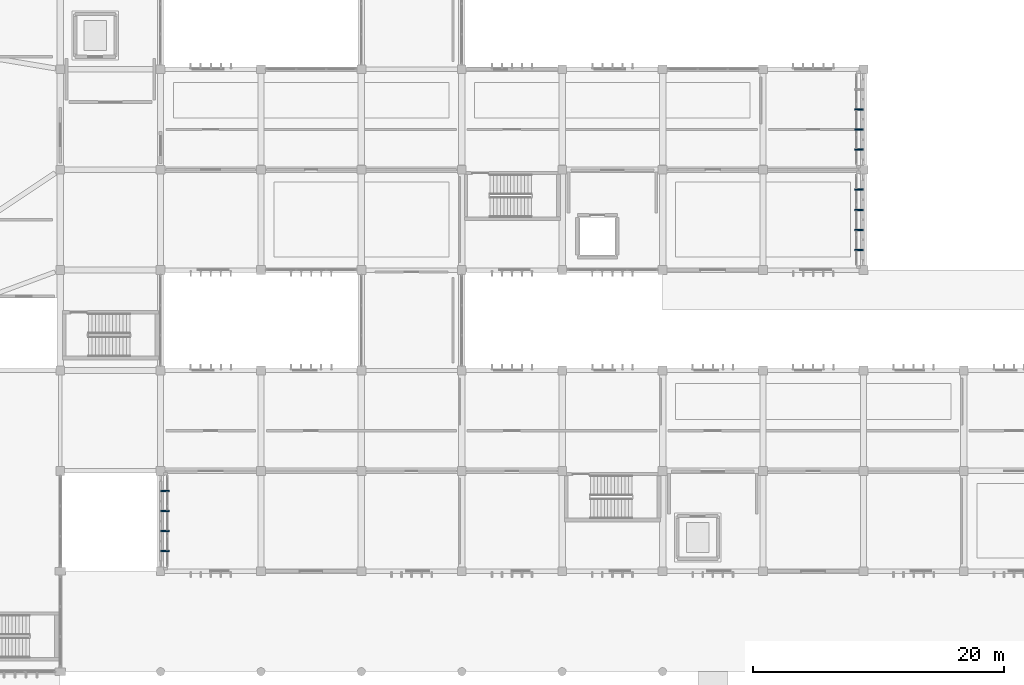
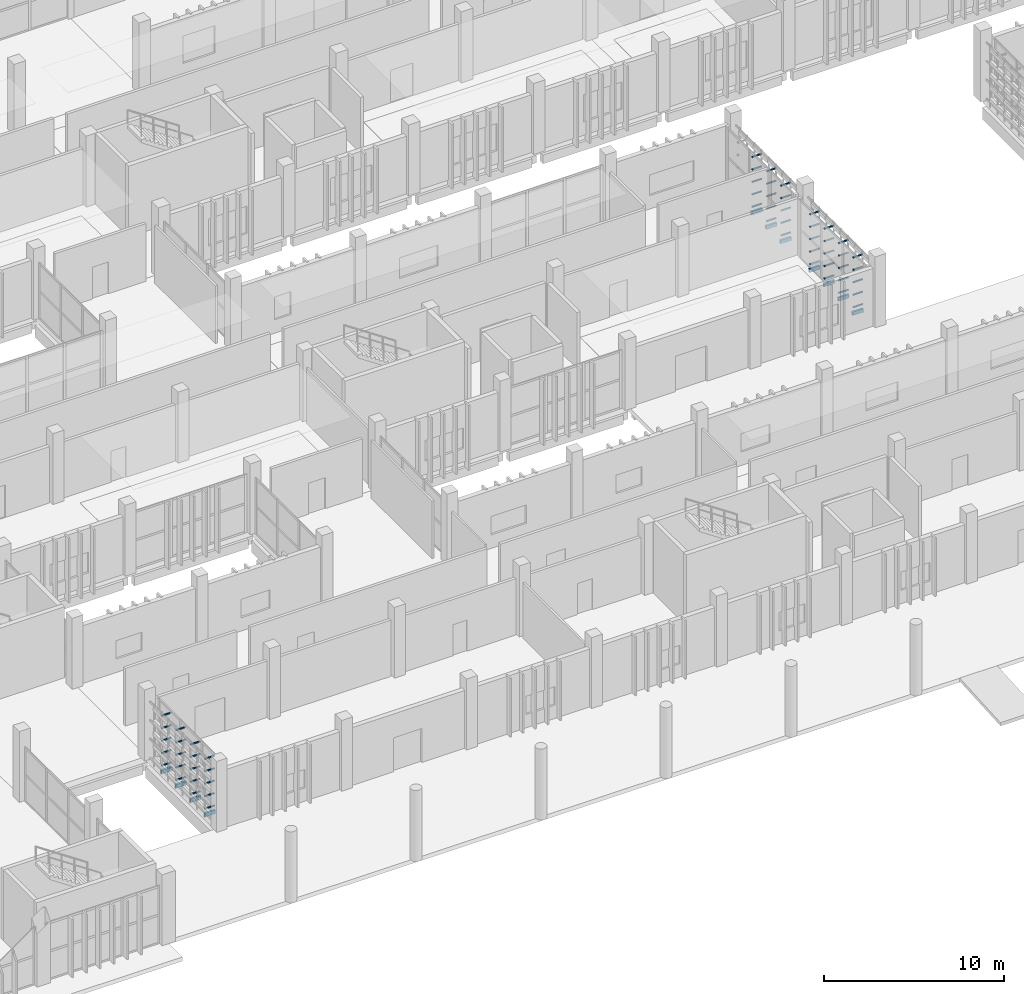
# One storey, part 101 of 117: 66 discrete accessories.
"""IFC4 building model written with IfcOpenShell, lengths in metres."""

from ifc_helpers import new_model, si_unit, direction, frame, origin, origin_2d, place, context, subcontext, project, spatial, rectangle, extrude, material, type_object, element, save


model = new_model("IFC4")

# Units and contexts
model_context = context("Model", 3, precision=1e-05, world=origin(), true_north=direction((0.0, 1.0)))
body_context = subcontext(model_context, "Body", "Model", "MODEL_VIEW")
ifc_project = project(units=[si_unit("LENGTHUNIT", "METRE"), si_unit("AREAUNIT", "SQUARE_METRE"), si_unit("VOLUMEUNIT", "CUBIC_METRE"), si_unit("PLANEANGLEUNIT", "RADIAN"), si_unit("MASSUNIT", "GRAM", prefix="KILO")], contexts=[model_context])

# Site, building, storey
site_placement = place(None, origin())
site = spatial("IfcSite", under=ifc_project, at=site_placement, CompositionType="ELEMENT")
building_placement = place(site_placement, origin())
building = spatial("IfcBuilding", under=site, at=building_placement, Name="Jelvoka-Kovrelna Polytechnic", CompositionType="ELEMENT")
storey_placement = place(building_placement, origin())
storey = spatial("IfcBuildingStorey", under=building, at=storey_placement, Name="L01", CompositionType="ELEMENT", Elevation=0.0)

# Discrete accessories
ifc_material = material(Name="Structural steel S355JR", Category="steel")
discrete_accessory_type = type_object("IfcDiscreteAccessoryType", Name="Bracket_Outrigger_S355", PredefinedType="BRACKET", material=ifc_material)
discrete_accessory_1_placement = place(storey_placement, frame((56.320068359375, 9.60009765625, 0.280029296875), z_axis=(0.0, 0.0, 1.0), x_axis=(1.0, 0.0, 0.0)))
element("IfcDiscreteAccessory", 1, at=discrete_accessory_1_placement, inside=storey, type_object=discrete_accessory_type, Name="L01 screen outrigger tie bracket BRKM-PLT-SCR-0001", PredefinedType="BRACKET", context=body_context, shape_type="SweptSolid", body=[
    extrude(rectangle(XDim=0.639892578125, YDim=0.080078125, at=origin_2d()), origin(), (0.0, 0.0, 1.0), 0.080078125),
])
discrete_accessory_2_placement = place(storey_placement, frame((56.340087890625, 9.60009765625, -0.2001953125), z_axis=(0.0, 0.0, 1.0), x_axis=(1.0, 0.0, 0.0)))
element("IfcDiscreteAccessory", 2, at=discrete_accessory_2_placement, inside=storey, type_object=discrete_accessory_type, Name="L01 screen outrigger tie bracket BRK-PLT-SCR-0001", PredefinedType="BRACKET", context=body_context, shape_type="SweptSolid", body=[
    extrude(rectangle(XDim=0.679931640625, YDim=0.1201171875, at=origin_2d()), origin(), (0.0, 0.0, 1.0), 0.239990234375),
])
for number, where, z_axis, x_axis, name in (
    (3, (56.320068359375, 9.60009765625, 1.12255859375), (0.0, 0.0, 1.0), (1.0, 0.0, 0.0), "L01 screen outrigger tie bracket BRKM-PLT-SCR-0002"),
    (4, (56.320068359375, 9.60009765625, 1.96484375), (0.0, 0.0, 1.0), (1.0, 0.0, 0.0), "L01 screen outrigger tie bracket BRKM-PLT-SCR-0003"),
    (5, (56.320068359375, 9.60009765625, 2.807373046875), (0.0, 0.0, 1.0), (1.0, 0.0, 0.0), "L01 screen outrigger tie bracket BRKM-PLT-SCR-0004"),
    (6, (56.320068359375, 9.60009765625, 3.64990234375), (0.0, 0.0, 1.0), (1.0, 0.0, 0.0), "L01 screen outrigger tie bracket BRKM-PLT-SCR-0005"),
    (7, (56.320068359375, 11.199951171875, 0.280029296875), (0.0, 0.0, 1.0), (1.0, 0.0, 0.0), "L01 screen outrigger tie bracket BRKM-PLT-SCR-0006"),
):
    element("IfcDiscreteAccessory", number, at=place(storey_placement, frame(where, z_axis=z_axis, x_axis=x_axis)), inside=storey, type_object=discrete_accessory_type, Name=name, PredefinedType="BRACKET", context=body_context, shape_type="SweptSolid", body=[
        extrude(rectangle(XDim=0.639892578125, YDim=0.080078125, at=origin_2d()), origin(), (0.0, 0.0, 1.0), 0.080078125),
    ])
discrete_accessory_3_placement = place(storey_placement, frame((56.340087890625, 11.199951171875, -0.2001953125), z_axis=(0.0, 0.0, 1.0), x_axis=(1.0, 0.0, 0.0)))
element("IfcDiscreteAccessory", 8, at=discrete_accessory_3_placement, inside=storey, type_object=discrete_accessory_type, Name="L01 screen outrigger tie bracket BRK-PLT-SCR-0006", PredefinedType="BRACKET", context=body_context, shape_type="SweptSolid", body=[
    extrude(rectangle(XDim=0.679931640625, YDim=0.1201171875, at=origin_2d()), origin(), (0.0, 0.0, 1.0), 0.239990234375),
])
for number, where, z_axis, x_axis, name in (
    (9, (56.320068359375, 11.199951171875, 1.12255859375), (0.0, 0.0, 1.0), (1.0, 0.0, 0.0), "L01 screen outrigger tie bracket BRKM-PLT-SCR-0007"),
    (10, (56.320068359375, 11.199951171875, 1.96484375), (0.0, 0.0, 1.0), (1.0, 0.0, 0.0), "L01 screen outrigger tie bracket BRKM-PLT-SCR-0008"),
    (11, (56.320068359375, 11.199951171875, 2.807373046875), (0.0, 0.0, 1.0), (1.0, 0.0, 0.0), "L01 screen outrigger tie bracket BRKM-PLT-SCR-0009"),
    (12, (56.320068359375, 11.199951171875, 3.64990234375), (0.0, 0.0, 1.0), (1.0, 0.0, 0.0), "L01 screen outrigger tie bracket BRKM-PLT-SCR-0010"),
    (13, (56.320068359375, 12.800048828125, 0.280029296875), (0.0, 0.0, 1.0), (1.0, 0.0, 0.0), "L01 screen outrigger tie bracket BRKM-PLT-SCR-0011"),
):
    element("IfcDiscreteAccessory", number, at=place(storey_placement, frame(where, z_axis=z_axis, x_axis=x_axis)), inside=storey, type_object=discrete_accessory_type, Name=name, PredefinedType="BRACKET", context=body_context, shape_type="SweptSolid", body=[
        extrude(rectangle(XDim=0.639892578125, YDim=0.080078125, at=origin_2d()), origin(), (0.0, 0.0, 1.0), 0.080078125),
    ])
discrete_accessory_4_placement = place(storey_placement, frame((56.340087890625, 12.800048828125, -0.2001953125), z_axis=(0.0, 0.0, 1.0), x_axis=(1.0, 0.0, 0.0)))
element("IfcDiscreteAccessory", 14, at=discrete_accessory_4_placement, inside=storey, type_object=discrete_accessory_type, Name="L01 screen outrigger tie bracket BRK-PLT-SCR-0011", PredefinedType="BRACKET", context=body_context, shape_type="SweptSolid", body=[
    extrude(rectangle(XDim=0.679931640625, YDim=0.1201171875, at=origin_2d()), origin(), (0.0, 0.0, 1.0), 0.239990234375),
])
for number, where, z_axis, x_axis, name in (
    (15, (56.320068359375, 12.800048828125, 1.12255859375), (0.0, 0.0, 1.0), (1.0, 0.0, 0.0), "L01 screen outrigger tie bracket BRKM-PLT-SCR-0012"),
    (16, (56.320068359375, 12.800048828125, 1.96484375), (0.0, 0.0, 1.0), (1.0, 0.0, 0.0), "L01 screen outrigger tie bracket BRKM-PLT-SCR-0013"),
    (17, (56.320068359375, 12.800048828125, 2.807373046875), (0.0, 0.0, 1.0), (1.0, 0.0, 0.0), "L01 screen outrigger tie bracket BRKM-PLT-SCR-0014"),
    (18, (56.320068359375, 12.800048828125, 3.64990234375), (0.0, 0.0, 1.0), (1.0, 0.0, 0.0), "L01 screen outrigger tie bracket BRKM-PLT-SCR-0015"),
    (19, (56.320068359375, 14.39990234375, 0.280029296875), (0.0, 0.0, 1.0), (1.0, 0.0, 0.0), "L01 screen outrigger tie bracket BRKM-PLT-SCR-0016"),
):
    element("IfcDiscreteAccessory", number, at=place(storey_placement, frame(where, z_axis=z_axis, x_axis=x_axis)), inside=storey, type_object=discrete_accessory_type, Name=name, PredefinedType="BRACKET", context=body_context, shape_type="SweptSolid", body=[
        extrude(rectangle(XDim=0.639892578125, YDim=0.080078125, at=origin_2d()), origin(), (0.0, 0.0, 1.0), 0.080078125),
    ])
discrete_accessory_5_placement = place(storey_placement, frame((56.340087890625, 14.39990234375, -0.2001953125), z_axis=(0.0, 0.0, 1.0), x_axis=(1.0, 0.0, 0.0)))
element("IfcDiscreteAccessory", 20, at=discrete_accessory_5_placement, inside=storey, type_object=discrete_accessory_type, Name="L01 screen outrigger tie bracket BRK-PLT-SCR-0016", PredefinedType="BRACKET", context=body_context, shape_type="SweptSolid", body=[
    extrude(rectangle(XDim=0.679931640625, YDim=0.1201171875, at=origin_2d()), origin(), (0.0, 0.0, 1.0), 0.239990234375),
])
for number, where, z_axis, x_axis, name in (
    (21, (56.320068359375, 14.39990234375, 1.12255859375), (0.0, 0.0, 1.0), (1.0, 0.0, 0.0), "L01 screen outrigger tie bracket BRKM-PLT-SCR-0017"),
    (22, (56.320068359375, 14.39990234375, 1.96484375), (0.0, 0.0, 1.0), (1.0, 0.0, 0.0), "L01 screen outrigger tie bracket BRKM-PLT-SCR-0018"),
    (23, (56.320068359375, 14.39990234375, 2.807373046875), (0.0, 0.0, 1.0), (1.0, 0.0, 0.0), "L01 screen outrigger tie bracket BRKM-PLT-SCR-0019"),
    (24, (56.320068359375, 14.39990234375, 3.64990234375), (0.0, 0.0, 1.0), (1.0, 0.0, 0.0), "L01 screen outrigger tie bracket BRKM-PLT-SCR-0020"),
    (25, (111.679931640625, 33.60009765625, 0.280029296875), (0.0, 0.0, 1.0), (1.0, 0.0, 0.0), "L01 screen outrigger tie bracket BRKM-PLT-SCR-0161"),
):
    element("IfcDiscreteAccessory", number, at=place(storey_placement, frame(where, z_axis=z_axis, x_axis=x_axis)), inside=storey, type_object=discrete_accessory_type, Name=name, PredefinedType="BRACKET", context=body_context, shape_type="SweptSolid", body=[
        extrude(rectangle(XDim=0.639892578125, YDim=0.080078125, at=origin_2d()), origin(), (0.0, 0.0, 1.0), 0.080078125),
    ])
discrete_accessory_6_placement = place(storey_placement, frame((111.659912109375, 33.60009765625, -0.2001953125), z_axis=(0.0, 0.0, 1.0), x_axis=(1.0, 0.0, 0.0)))
element("IfcDiscreteAccessory", 26, at=discrete_accessory_6_placement, inside=storey, type_object=discrete_accessory_type, Name="L01 screen outrigger tie bracket BRK-PLT-SCR-0161", PredefinedType="BRACKET", context=body_context, shape_type="SweptSolid", body=[
    extrude(rectangle(XDim=0.679931640625, YDim=0.1201171875, at=origin_2d()), origin(), (0.0, 0.0, 1.0), 0.239990234375),
])
for number, where, z_axis, x_axis, name in (
    (27, (111.679931640625, 33.60009765625, 1.12255859375), (0.0, 0.0, 1.0), (1.0, 0.0, 0.0), "L01 screen outrigger tie bracket BRKM-PLT-SCR-0162"),
    (28, (111.679931640625, 33.60009765625, 1.96484375), (0.0, 0.0, 1.0), (1.0, 0.0, 0.0), "L01 screen outrigger tie bracket BRKM-PLT-SCR-0163"),
    (29, (111.679931640625, 33.60009765625, 2.807373046875), (0.0, 0.0, 1.0), (1.0, 0.0, 0.0), "L01 screen outrigger tie bracket BRKM-PLT-SCR-0164"),
    (30, (111.679931640625, 33.60009765625, 3.64990234375), (0.0, 0.0, 1.0), (1.0, 0.0, 0.0), "L01 screen outrigger tie bracket BRKM-PLT-SCR-0165"),
    (31, (111.679931640625, 35.199951171875, 0.280029296875), (0.0, 0.0, 1.0), (1.0, 0.0, 0.0), "L01 screen outrigger tie bracket BRKM-PLT-SCR-0166"),
):
    element("IfcDiscreteAccessory", number, at=place(storey_placement, frame(where, z_axis=z_axis, x_axis=x_axis)), inside=storey, type_object=discrete_accessory_type, Name=name, PredefinedType="BRACKET", context=body_context, shape_type="SweptSolid", body=[
        extrude(rectangle(XDim=0.639892578125, YDim=0.080078125, at=origin_2d()), origin(), (0.0, 0.0, 1.0), 0.080078125),
    ])
discrete_accessory_7_placement = place(storey_placement, frame((111.659912109375, 35.199951171875, -0.2001953125), z_axis=(0.0, 0.0, 1.0), x_axis=(1.0, 0.0, 0.0)))
element("IfcDiscreteAccessory", 32, at=discrete_accessory_7_placement, inside=storey, type_object=discrete_accessory_type, Name="L01 screen outrigger tie bracket BRK-PLT-SCR-0166", PredefinedType="BRACKET", context=body_context, shape_type="SweptSolid", body=[
    extrude(rectangle(XDim=0.679931640625, YDim=0.1201171875, at=origin_2d()), origin(), (0.0, 0.0, 1.0), 0.239990234375),
])
for number, where, z_axis, x_axis, name in (
    (33, (111.679931640625, 35.199951171875, 1.12255859375), (0.0, 0.0, 1.0), (1.0, 0.0, 0.0), "L01 screen outrigger tie bracket BRKM-PLT-SCR-0167"),
    (34, (111.679931640625, 35.199951171875, 1.96484375), (0.0, 0.0, 1.0), (1.0, 0.0, 0.0), "L01 screen outrigger tie bracket BRKM-PLT-SCR-0168"),
    (35, (111.679931640625, 35.199951171875, 2.807373046875), (0.0, 0.0, 1.0), (1.0, 0.0, 0.0), "L01 screen outrigger tie bracket BRKM-PLT-SCR-0169"),
    (36, (111.679931640625, 35.199951171875, 3.64990234375), (0.0, 0.0, 1.0), (1.0, 0.0, 0.0), "L01 screen outrigger tie bracket BRKM-PLT-SCR-0170"),
    (37, (111.679931640625, 36.800048828125, 0.280029296875), (0.0, 0.0, 1.0), (1.0, 0.0, 0.0), "L01 screen outrigger tie bracket BRKM-PLT-SCR-0171"),
):
    element("IfcDiscreteAccessory", number, at=place(storey_placement, frame(where, z_axis=z_axis, x_axis=x_axis)), inside=storey, type_object=discrete_accessory_type, Name=name, PredefinedType="BRACKET", context=body_context, shape_type="SweptSolid", body=[
        extrude(rectangle(XDim=0.639892578125, YDim=0.080078125, at=origin_2d()), origin(), (0.0, 0.0, 1.0), 0.080078125),
    ])
discrete_accessory_8_placement = place(storey_placement, frame((111.659912109375, 36.800048828125, -0.2001953125), z_axis=(0.0, 0.0, 1.0), x_axis=(1.0, 0.0, 0.0)))
element("IfcDiscreteAccessory", 38, at=discrete_accessory_8_placement, inside=storey, type_object=discrete_accessory_type, Name="L01 screen outrigger tie bracket BRK-PLT-SCR-0171", PredefinedType="BRACKET", context=body_context, shape_type="SweptSolid", body=[
    extrude(rectangle(XDim=0.679931640625, YDim=0.1201171875, at=origin_2d()), origin(), (0.0, 0.0, 1.0), 0.239990234375),
])
for number, where, z_axis, x_axis, name in (
    (39, (111.679931640625, 36.800048828125, 1.12255859375), (0.0, 0.0, 1.0), (1.0, 0.0, 0.0), "L01 screen outrigger tie bracket BRKM-PLT-SCR-0172"),
    (40, (111.679931640625, 36.800048828125, 1.96484375), (0.0, 0.0, 1.0), (1.0, 0.0, 0.0), "L01 screen outrigger tie bracket BRKM-PLT-SCR-0173"),
    (41, (111.679931640625, 36.800048828125, 2.807373046875), (0.0, 0.0, 1.0), (1.0, 0.0, 0.0), "L01 screen outrigger tie bracket BRKM-PLT-SCR-0174"),
    (42, (111.679931640625, 36.800048828125, 3.64990234375), (0.0, 0.0, 1.0), (1.0, 0.0, 0.0), "L01 screen outrigger tie bracket BRKM-PLT-SCR-0175"),
    (43, (111.679931640625, 38.39990234375, 0.280029296875), (0.0, 0.0, 1.0), (1.0, 0.0, 0.0), "L01 screen outrigger tie bracket BRKM-PLT-SCR-0176"),
):
    element("IfcDiscreteAccessory", number, at=place(storey_placement, frame(where, z_axis=z_axis, x_axis=x_axis)), inside=storey, type_object=discrete_accessory_type, Name=name, PredefinedType="BRACKET", context=body_context, shape_type="SweptSolid", body=[
        extrude(rectangle(XDim=0.639892578125, YDim=0.080078125, at=origin_2d()), origin(), (0.0, 0.0, 1.0), 0.080078125),
    ])
discrete_accessory_9_placement = place(storey_placement, frame((111.659912109375, 38.39990234375, -0.2001953125), z_axis=(0.0, 0.0, 1.0), x_axis=(1.0, 0.0, 0.0)))
element("IfcDiscreteAccessory", 44, at=discrete_accessory_9_placement, inside=storey, type_object=discrete_accessory_type, Name="L01 screen outrigger tie bracket BRK-PLT-SCR-0176", PredefinedType="BRACKET", context=body_context, shape_type="SweptSolid", body=[
    extrude(rectangle(XDim=0.679931640625, YDim=0.1201171875, at=origin_2d()), origin(), (0.0, 0.0, 1.0), 0.239990234375),
])
for number, where, z_axis, x_axis, name in (
    (45, (111.679931640625, 38.39990234375, 1.12255859375), (0.0, 0.0, 1.0), (1.0, 0.0, 0.0), "L01 screen outrigger tie bracket BRKM-PLT-SCR-0177"),
    (46, (111.679931640625, 38.39990234375, 1.96484375), (0.0, 0.0, 1.0), (1.0, 0.0, 0.0), "L01 screen outrigger tie bracket BRKM-PLT-SCR-0178"),
    (47, (111.679931640625, 38.39990234375, 2.807373046875), (0.0, 0.0, 1.0), (1.0, 0.0, 0.0), "L01 screen outrigger tie bracket BRKM-PLT-SCR-0179"),
    (48, (111.679931640625, 38.39990234375, 3.64990234375), (0.0, 0.0, 1.0), (1.0, 0.0, 0.0), "L01 screen outrigger tie bracket BRKM-PLT-SCR-0180"),
    (49, (111.679931640625, 41.60009765625, 0.280029296875), (0.0, 0.0, 1.0), (1.0, 0.0, 0.0), "L01 screen outrigger tie bracket BRKM-PLT-SCR-0181"),
):
    element("IfcDiscreteAccessory", number, at=place(storey_placement, frame(where, z_axis=z_axis, x_axis=x_axis)), inside=storey, type_object=discrete_accessory_type, Name=name, PredefinedType="BRACKET", context=body_context, shape_type="SweptSolid", body=[
        extrude(rectangle(XDim=0.639892578125, YDim=0.080078125, at=origin_2d()), origin(), (0.0, 0.0, 1.0), 0.080078125),
    ])
discrete_accessory_10_placement = place(storey_placement, frame((111.659912109375, 41.60009765625, -0.2001953125), z_axis=(0.0, 0.0, 1.0), x_axis=(1.0, 0.0, 0.0)))
element("IfcDiscreteAccessory", 50, at=discrete_accessory_10_placement, inside=storey, type_object=discrete_accessory_type, Name="L01 screen outrigger tie bracket BRK-PLT-SCR-0181", PredefinedType="BRACKET", context=body_context, shape_type="SweptSolid", body=[
    extrude(rectangle(XDim=0.679931640625, YDim=0.1201171875, at=origin_2d()), origin(), (0.0, 0.0, 1.0), 0.239990234375),
])
for number, where, z_axis, x_axis, name in (
    (51, (111.679931640625, 41.60009765625, 1.12255859375), (0.0, 0.0, 1.0), (1.0, 0.0, 0.0), "L01 screen outrigger tie bracket BRKM-PLT-SCR-0182"),
    (52, (111.679931640625, 41.60009765625, 1.96484375), (0.0, 0.0, 1.0), (1.0, 0.0, 0.0), "L01 screen outrigger tie bracket BRKM-PLT-SCR-0183"),
    (53, (111.679931640625, 41.60009765625, 2.807373046875), (0.0, 0.0, 1.0), (1.0, 0.0, 0.0), "L01 screen outrigger tie bracket BRKM-PLT-SCR-0184"),
    (54, (111.679931640625, 41.60009765625, 3.64990234375), (0.0, 0.0, 1.0), (1.0, 0.0, 0.0), "L01 screen outrigger tie bracket BRKM-PLT-SCR-0185"),
    (55, (111.679931640625, 43.199951171875, 0.280029296875), (0.0, 0.0, 1.0), (1.0, 0.0, 0.0), "L01 screen outrigger tie bracket BRKM-PLT-SCR-0186"),
):
    element("IfcDiscreteAccessory", number, at=place(storey_placement, frame(where, z_axis=z_axis, x_axis=x_axis)), inside=storey, type_object=discrete_accessory_type, Name=name, PredefinedType="BRACKET", context=body_context, shape_type="SweptSolid", body=[
        extrude(rectangle(XDim=0.639892578125, YDim=0.080078125, at=origin_2d()), origin(), (0.0, 0.0, 1.0), 0.080078125),
    ])
discrete_accessory_11_placement = place(storey_placement, frame((111.659912109375, 43.199951171875, -0.2001953125), z_axis=(0.0, 0.0, 1.0), x_axis=(1.0, 0.0, 0.0)))
element("IfcDiscreteAccessory", 56, at=discrete_accessory_11_placement, inside=storey, type_object=discrete_accessory_type, Name="L01 screen outrigger tie bracket BRK-PLT-SCR-0186", PredefinedType="BRACKET", context=body_context, shape_type="SweptSolid", body=[
    extrude(rectangle(XDim=0.679931640625, YDim=0.1201171875, at=origin_2d()), origin(), (0.0, 0.0, 1.0), 0.239990234375),
])
for number, where, z_axis, x_axis, name in (
    (57, (111.679931640625, 43.199951171875, 1.12255859375), (0.0, 0.0, 1.0), (1.0, 0.0, 0.0), "L01 screen outrigger tie bracket BRKM-PLT-SCR-0187"),
    (58, (111.679931640625, 43.199951171875, 1.96484375), (0.0, 0.0, 1.0), (1.0, 0.0, 0.0), "L01 screen outrigger tie bracket BRKM-PLT-SCR-0188"),
    (59, (111.679931640625, 43.199951171875, 2.807373046875), (0.0, 0.0, 1.0), (1.0, 0.0, 0.0), "L01 screen outrigger tie bracket BRKM-PLT-SCR-0189"),
    (60, (111.679931640625, 43.199951171875, 3.64990234375), (0.0, 0.0, 1.0), (1.0, 0.0, 0.0), "L01 screen outrigger tie bracket BRKM-PLT-SCR-0190"),
    (61, (111.679931640625, 44.800048828125, 0.280029296875), (0.0, 0.0, 1.0), (1.0, 0.0, 0.0), "L01 screen outrigger tie bracket BRKM-PLT-SCR-0191"),
):
    element("IfcDiscreteAccessory", number, at=place(storey_placement, frame(where, z_axis=z_axis, x_axis=x_axis)), inside=storey, type_object=discrete_accessory_type, Name=name, PredefinedType="BRACKET", context=body_context, shape_type="SweptSolid", body=[
        extrude(rectangle(XDim=0.639892578125, YDim=0.080078125, at=origin_2d()), origin(), (0.0, 0.0, 1.0), 0.080078125),
    ])
discrete_accessory_12_placement = place(storey_placement, frame((111.659912109375, 44.800048828125, -0.2001953125), z_axis=(0.0, 0.0, 1.0), x_axis=(1.0, 0.0, 0.0)))
element("IfcDiscreteAccessory", 62, at=discrete_accessory_12_placement, inside=storey, type_object=discrete_accessory_type, Name="L01 screen outrigger tie bracket BRK-PLT-SCR-0191", PredefinedType="BRACKET", context=body_context, shape_type="SweptSolid", body=[
    extrude(rectangle(XDim=0.679931640625, YDim=0.1201171875, at=origin_2d()), origin(), (0.0, 0.0, 1.0), 0.239990234375),
])
for number, where, z_axis, x_axis, name in (
    (63, (111.679931640625, 44.800048828125, 1.12255859375), (0.0, 0.0, 1.0), (1.0, 0.0, 0.0), "L01 screen outrigger tie bracket BRKM-PLT-SCR-0192"),
    (64, (111.679931640625, 44.800048828125, 1.96484375), (0.0, 0.0, 1.0), (1.0, 0.0, 0.0), "L01 screen outrigger tie bracket BRKM-PLT-SCR-0193"),
    (65, (111.679931640625, 44.800048828125, 2.807373046875), (0.0, 0.0, 1.0), (1.0, 0.0, 0.0), "L01 screen outrigger tie bracket BRKM-PLT-SCR-0194"),
    (66, (111.679931640625, 44.800048828125, 3.64990234375), (0.0, 0.0, 1.0), (1.0, 0.0, 0.0), "L01 screen outrigger tie bracket BRKM-PLT-SCR-0195"),
):
    element("IfcDiscreteAccessory", number, at=place(storey_placement, frame(where, z_axis=z_axis, x_axis=x_axis)), inside=storey, type_object=discrete_accessory_type, Name=name, PredefinedType="BRACKET", context=body_context, shape_type="SweptSolid", body=[
        extrude(rectangle(XDim=0.639892578125, YDim=0.080078125, at=origin_2d()), origin(), (0.0, 0.0, 1.0), 0.080078125),
    ])

save(model, "model.ifc")
